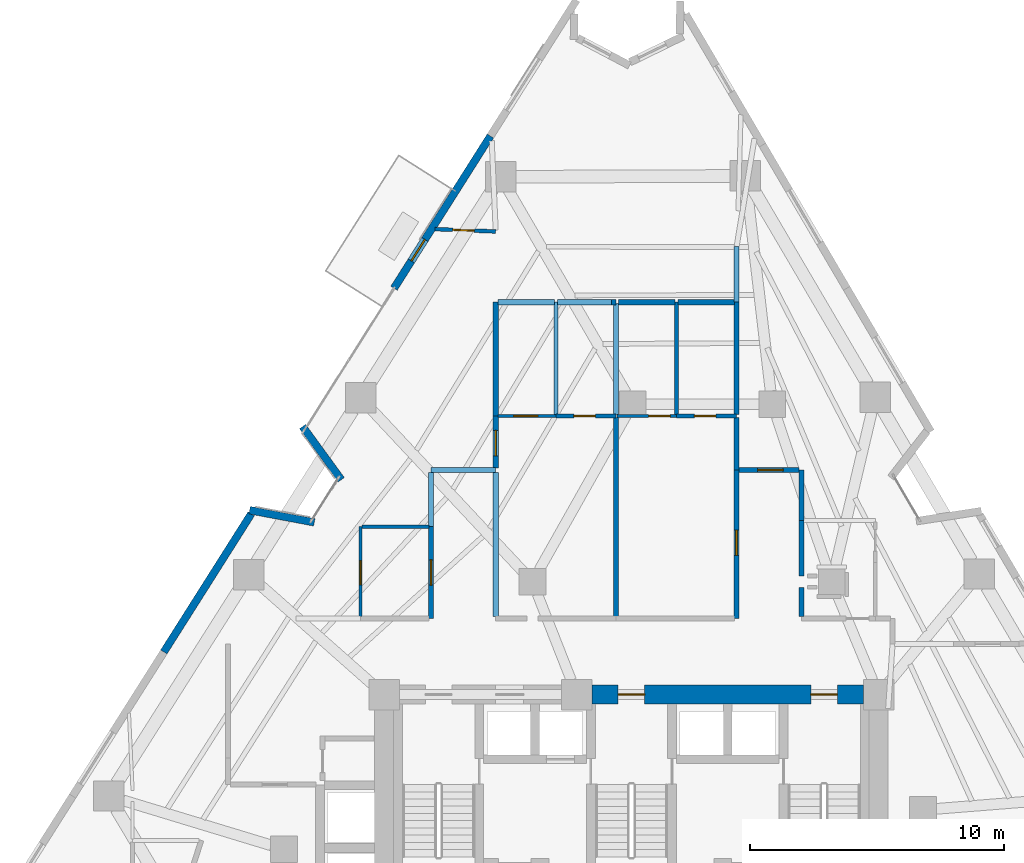
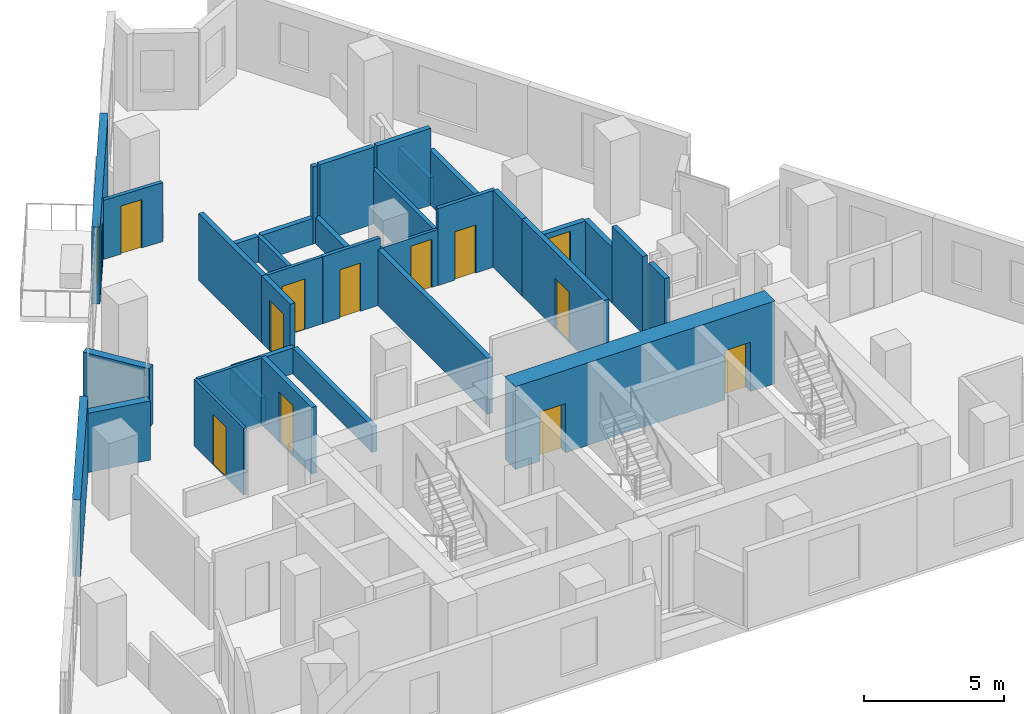
# One storey, part 7 of 11: 35 walls, 13 doors, 13 openings.
"""IFC4 building model written with IfcOpenShell, lengths in metres."""

import ifcopenshell
import ifcopenshell.guid

model = None  # the IFC model being written
_history = None  # IfcOwnerHistory: only IFC2X3 demands one
_inside = {}  # id of a spatial element -> (the spatial element, [elements in it])
_under = {}  # id of a project, library or spatial element -> (it, [spatial elements below it])
_declared = {}  # id of a project -> (the project, [libraries it declares])
_typed = {}  # id of a type object -> (the type object, [elements of that type])
_made_of = {}  # id of a material, layer set ... -> (it, [elements and type objects made of it])


def new_model(schema):
    """Start an empty IFC model of exactly this schema.

    Asked for "IFC4X3", IfcOpenShell would pick the latest addendum, in which some entities
    have other attributes; the version numbers below select the first issue.
    IFC2X3 requires an IfcOwnerHistory on every rooted entity: one is made here for all.
    """
    global model, _history
    if schema == "IFC4X3":
        model = ifcopenshell.file(schema_version=(4, 3, 0, 0))
    else:
        model = ifcopenshell.file(schema=schema)
    _inside.clear()
    _under.clear()
    _declared.clear()
    _typed.clear()
    _made_of.clear()
    _history = None
    if model.schema == "IFC2X3":
        org = make("IfcOrganization", Name="unknown")
        user = make(
            "IfcPersonAndOrganization",
            ThePerson=make("IfcPerson", FamilyName="unknown"),
            TheOrganization=org,
        )
        app = make(
            "IfcApplication",
            ApplicationDeveloper=org,
            Version="unknown",
            ApplicationFullName="unknown",
            ApplicationIdentifier="unknown",
        )
        _history = make(
            "IfcOwnerHistory",
            OwningUser=user,
            OwningApplication=app,
            ChangeAction="ADDED",
            CreationDate=0,
        )
    return model


def make(cls, **values):
    """One entity of the class cls with the attributes given. An attribute that is None is left unset."""
    return model.create_entity(
        cls, **{name: value for name, value in values.items() if value is not None}
    )


def rooted(cls, **values):
    """An entity with a GlobalId (a new one), such as an element, a storey or a relation."""
    return make(cls, GlobalId=ifcopenshell.guid.new(), OwnerHistory=_history, **values)


def si_unit(unit_type, name, prefix=None):
    """IfcSIUnit, for example si_unit("LENGTHUNIT", "METRE", prefix="MILLI")."""
    return make("IfcSIUnit", UnitType=unit_type, Prefix=prefix, Name=name)


def assignment(units):
    """IfcUnitAssignment: the units of a project."""
    return None if units is None else make("IfcUnitAssignment", Units=units)


def point(xyz):
    """IfcCartesianPoint."""
    return None if xyz is None else make("IfcCartesianPoint", Coordinates=xyz)


def direction(xyz):
    """IfcDirection."""
    return None if xyz is None else make("IfcDirection", DirectionRatios=xyz)


def frame(location, z_axis=None, x_axis=None):
    """IfcAxis2Placement3D, a coordinate frame: its origin and axes. An axis left out is left unset."""
    return make(
        "IfcAxis2Placement3D",
        Location=point(location),
        Axis=direction(z_axis),
        RefDirection=direction(x_axis),
    )


def frame_2d(location, x_axis=None):
    """IfcAxis2Placement2D, a coordinate frame in the plane: its origin and x axis."""
    return make(
        "IfcAxis2Placement2D", Location=point(location), RefDirection=direction(x_axis)
    )


def origin():
    """The frame at (0, 0, 0) with its axes left unset."""
    return frame((0.0, 0.0, 0.0))


def place(relative_to, where):
    """IfcLocalPlacement: puts the frame where relative to a parent placement (None: the world)."""
    return make(
        "IfcLocalPlacement", PlacementRelTo=relative_to, RelativePlacement=where
    )


def context(
    kind, dimensions, precision=None, world=None, true_north=None, identifier=None
):
    """IfcGeometricRepresentationContext, for example the 3D "Model" context."""
    return make(
        "IfcGeometricRepresentationContext",
        ContextIdentifier=identifier,
        ContextType=kind,
        CoordinateSpaceDimension=dimensions,
        Precision=precision,
        WorldCoordinateSystem=world,
        TrueNorth=true_north,
    )


def subcontext(parent, identifier, kind, view, scale=None):
    """IfcGeometricRepresentationSubContext, for example "Body" below "Model"."""
    return make(
        "IfcGeometricRepresentationSubContext",
        ContextIdentifier=identifier,
        ContextType=kind,
        ParentContext=parent,
        TargetScale=scale,
        TargetView=view,
    )


def project(units=None, contexts=None):
    """IfcProject with its units and contexts."""
    return rooted(
        "IfcProject",
        Name="project",
        RepresentationContexts=contexts,
        UnitsInContext=assignment(units),
    )


def spatial(cls, under=None, at=None, **own):
    """A site, building, storey or space (cls), placed at a placement, below another one or the project."""
    s = rooted(cls, ObjectPlacement=at, **own)
    if under is not None:
        _under.setdefault(under.id(), (under, []))[1].append(s)
    return s


def profile(cls, at=None, kind="AREA", **sizes):
    """A parametric profile (cls). Its sizes go by their IFC names, for example OverallWidth=200.0."""
    return make(cls, ProfileType=kind, Position=at, **sizes)


def rectangle(**sizes):
    """IfcRectangleProfileDef."""
    return profile("IfcRectangleProfileDef", **sizes)


def extrude(swept, where, along, depth):
    """IfcExtrudedAreaSolid: the profile swept, set in the frame where, extruded along a direction by depth."""
    return make(
        "IfcExtrudedAreaSolid",
        SweptArea=swept,
        Position=where,
        ExtrudedDirection=direction(along),
        Depth=depth,
    )


def shape(context_of_items, identifier, shape_type, items):
    """IfcShapeRepresentation: the items that make up one representation, for example the "Body"."""
    return make(
        "IfcShapeRepresentation",
        ContextOfItems=context_of_items,
        RepresentationIdentifier=identifier,
        RepresentationType=shape_type,
        Items=items,
    )


def material(Name=None, Category=None):
    """IfcMaterial."""
    return make("IfcMaterial", Name=Name, Category=Category)


def layer(
    of_material, thickness, ventilated=None, Name=None, Category=None, Priority=None
):
    """IfcMaterialLayer: one layer of a wall or slab, of a material (None: an air gap)."""
    return make(
        "IfcMaterialLayer",
        Material=of_material,
        LayerThickness=thickness,
        IsVentilated=ventilated,
        Name=Name,
        Category=Category,
        Priority=Priority,
    )


def layer_set(layers, Name=None):
    """IfcMaterialLayerSet."""
    return make("IfcMaterialLayerSet", MaterialLayers=layers, LayerSetName=Name)


def made_of(thing, what):
    """Note that an element or type object is made of a material, layer set ...; save() writes the relation."""
    if what is not None:
        _made_of.setdefault(what.id(), (what, []))[1].append(thing)
    return thing


def type_object(cls, material=None, **own):
    """A type object (cls), such as IfcWallType, which elements share."""
    return made_of(rooted(cls, **own), material)


def element(
    cls,
    number,
    at=None,
    inside=None,
    cuts=None,
    type_object=None,
    material=None,
    context=None,
    identifier="Body",
    shape_type=None,
    held_by="IfcProductDefinitionShape",
    body=None,
    shapes=None,
    **own,
):
    """One element of the class cls, such as IfcWall. Its Tag is "e" and its number.

    at: its placement. inside: the storey or other place that contains it. cuts: it is an
    opening in that element (IfcRelVoidsElement). A single representation is given by context,
    identifier, shape_type and body (its items); several are given by shapes. held_by: the class
    of the entity that holds the representations. save() writes the other relations.
    """
    e = rooted(cls, Tag="e%d" % number, ObjectPlacement=at, **own)
    if body is not None:
        shapes = [shape(context, identifier, shape_type, body)]
    if shapes is not None:
        e.Representation = make(held_by, Representations=shapes)
    if inside is not None:
        _inside.setdefault(inside.id(), (inside, []))[1].append(e)
    if cuts is not None:
        rooted(
            "IfcRelVoidsElement", RelatingBuildingElement=cuts, RelatedOpeningElement=e
        )
    if type_object is not None:
        _typed.setdefault(type_object.id(), (type_object, []))[1].append(e)
    return made_of(e, material)


def fill(opening, filler):
    """IfcRelFillsElement: the door or window that sits in an opening."""
    return rooted(
        "IfcRelFillsElement",
        RelatingOpeningElement=opening,
        RelatedBuildingElement=filler,
    )


def aggregate(whole, parts):
    """IfcRelAggregates: a whole, such as a stair, and the parts it consists of."""
    return rooted("IfcRelAggregates", RelatingObject=whole, RelatedObjects=parts)


def save(model, path):
    """Write the relations noted so far, then the file.

    IfcRelAggregates (storeys below a building ...), IfcRelContainedInSpatialStructure (elements
    in a storey), IfcRelDefinesByType, IfcRelAssociatesMaterial and IfcRelDeclares: one each for
    every whole, place, type object, material and project.
    """
    for whole, parts in _under.values():
        aggregate(whole, parts)
    for where, things in _inside.values():
        rooted(
            "IfcRelContainedInSpatialStructure",
            RelatedElements=things,
            RelatingStructure=where,
        )
    for kind, things in _typed.values():
        rooted("IfcRelDefinesByType", RelatedObjects=things, RelatingType=kind)
    for what, things in _made_of.values():
        rooted("IfcRelAssociatesMaterial", RelatedObjects=things, RelatingMaterial=what)
    for by, libraries in _declared.values():
        rooted("IfcRelDeclares", RelatingContext=by, RelatedDefinitions=libraries)
    model.write(path)


model = new_model("IFC4")

# Units and contexts
model_context = context("Model", 3, precision=1e-05, world=origin(), true_north=direction((0.0, 1.0)))
body_context = subcontext(model_context, "Body", "Model", "MODEL_VIEW")
ifc_project = project(units=[si_unit("LENGTHUNIT", "METRE"), si_unit("AREAUNIT", "SQUARE_METRE"), si_unit("VOLUMEUNIT", "CUBIC_METRE"), si_unit("PLANEANGLEUNIT", "RADIAN"), si_unit("MASSUNIT", "GRAM", prefix="KILO")], contexts=[model_context])

# Site, building, storey
site_placement = place(None, origin())
site = spatial("IfcSite", under=ifc_project, at=site_placement, CompositionType="ELEMENT")
building_placement = place(site_placement, origin())
building = spatial("IfcBuilding", under=site, at=building_placement, Name="Almagre Mirador Tower", CompositionType="ELEMENT")
storey_placement = place(building_placement, frame((0.0, 0.0, 128.39990234375)))
storey = spatial("IfcBuildingStorey", under=building, at=storey_placement, Name="L32", CompositionType="ELEMENT", Elevation=128.39990234375)

# Walls
ifc_material_1 = material(Name="Precast concrete C50/60", Category="concrete")
ifc_layer_1 = layer(ifc_material_1, 0.300048828125)
ifc_layer_set_1 = layer_set([ifc_layer_1], Name="Precast concrete C50/60")
wall_type_1 = type_object("IfcWallType", Name="WAL-EXT-300", PredefinedType="SOLIDWALL", material=ifc_layer_set_1)
for number, where, z_axis, x_axis, name in (
    (1, (22.246337890625, 22.02099609375, 0.0), (0.0, 0.0, 1.0), (0.982733402646, -0.185027185367, 0.0), "L32 expressed almagre precast frame wall 01"),
    (2, (25.8583984375, 23.2197265625, 0.0), (0.0, 0.0, 1.0), (-0.587763102288, 0.809033086832, 0.0), "L32 expressed almagre precast frame wall 02"),
):
    element("IfcWall", number, at=place(storey_placement, frame(where, z_axis=z_axis, x_axis=x_axis)), inside=storey, type_object=wall_type_1, Name=name, PredefinedType="SOLIDWALL", context=body_context, shape_type="SweptSolid", body=[
        extrude(rectangle(XDim=2.593994140625, YDim=0.300048828125, at=frame_2d((1.296875, 0.0))), origin(), (0.0, 0.0, 1.0), 2.5751953125),
    ])

# Wall, opening, door
wall_1_placement = place(storey_placement, frame((27.939453125, 30.7705078125, 0.0), z_axis=(0.0, 0.0, 1.0), x_axis=(0.534879578565, 0.84492830254, 0.0)))
wall_1 = element("IfcWall", 3, at=wall_1_placement, inside=storey, type_object=wall_type_1, Name="L32 expressed almagre precast frame wall 03", PredefinedType="SOLIDWALL", context=body_context, shape_type="SweptSolid", body=[
    extrude(rectangle(XDim=7.10498046875, YDim=0.300048828125, at=frame_2d((3.552490234375, 0.0))), origin(), (0.0, 0.0, 1.0), 3.35009765625),
])
opening_1_placement = place(wall_1_placement, frame((1.27734375, 0.0, 0.0)))
opening_1 = element("IfcOpeningElement", 4, at=opening_1_placement, cuts=wall_1, Name="Opening BD-01", PredefinedType="OPENING", context=body_context, shape_type="SweptSolid", body=[
    extrude(rectangle(XDim=1.0, YDim=2.199951171875, at=frame_2d((0.5, 1.10009765625))), frame((0.0, 0.159902, 0.0), z_axis=(0.0, -1.0, 0.0), x_axis=(1.0, 0.0, 0.0)), (0.0, 0.0, 1.0), 0.320049),
])
ifc_material_2 = material(Name="Black anodized aluminium and laminated glass", Category="aluminium")
door_type_1 = type_object("IfcDoorType", Name="DOR-BAL-1000X2200", OperationType="NOTDEFINED", PredefinedType="DOOR", material=ifc_material_2)
door_1_placement = place(opening_1_placement, origin())
door_1 = element("IfcDoor", 5, at=door_1_placement, inside=storey, type_object=door_type_1, Name="DR-1037 L32 west balcony glazed door 2", OperationType="SINGLE_SWING_LEFT", OverallHeight=2.199951171875, OverallWidth=1.0, PredefinedType="DOOR", context=body_context, shape_type="SweptSolid", body=[
    extrude(rectangle(XDim=1.0, YDim=2.199951171875, at=frame_2d((0.5, 1.10009765625))), frame((0.0, 0.02490234375, 0.0), z_axis=(0.0, -1.0, 0.0), x_axis=(1.0, 0.0, 0.0)), (0.0, 0.0, 1.0), 0.050048828125),
])
fill(opening_1, door_1)

# Wall
wall_2_placement = place(storey_placement, frame((18.860595703125, 16.429443359375, 0.0), z_axis=(0.0, 0.0, 1.0), x_axis=(0.534891708764, 0.844920623429, 0.0)))
element("IfcWall", 6, at=wall_2_placement, inside=storey, type_object=wall_type_1, Name="L32 expressed almagre precast frame wall 35", PredefinedType="SOLIDWALL", context=body_context, shape_type="SweptSolid", body=[
    extrude(rectangle(XDim=6.447021484375, YDim=0.300048828125, at=frame_2d((3.2236328125, 0.0))), origin(), (0.0, 0.0, 1.0), 3.35009765625),
])

# Wall, opening, door
ifc_material_3 = material(Name="Gypsum acoustic stud partition", Category="other")
ifc_layer_2 = layer(ifc_material_3, 0.125)
ifc_layer_set_2 = layer_set([ifc_layer_2], Name="Gypsum acoustic stud partition")
wall_type_2 = type_object("IfcWallType", Name="WAL-PRT-125-UTL", PredefinedType="PARTITIONING", material=ifc_layer_set_2)
wall_3_placement = place(storey_placement, frame((26.6201171875, 17.8349609375, 0.0), z_axis=(0.0, 0.0, 1.0), x_axis=(0.0, 1.0, 0.0)))
wall_3 = element("IfcWall", 7, at=wall_3_placement, inside=storey, type_object=wall_type_2, Name="L32 interior partition 050", PredefinedType="PARTITIONING", context=body_context, shape_type="SweptSolid", body=[
    extrude(rectangle(XDim=3.53515625, YDim=0.125, at=frame_2d((1.767578125, 0.0))), origin(), (0.0, 0.0, 1.0), 2.9111328125),
])
opening_2_placement = place(wall_3_placement, frame((1.25, 0.0, 0.0)))
opening_2 = element("IfcOpeningElement", 8, at=opening_2_placement, cuts=wall_3, Name="Opening UD-01", PredefinedType="OPENING", context=body_context, shape_type="SweptSolid", body=[
    extrude(rectangle(XDim=0.949951171875, YDim=2.199951171875, at=frame_2d((0.47509765625, 1.10009765625))), frame((0.0, 0.0725, 0.0), z_axis=(0.0, -1.0, 0.0), x_axis=(1.0, 0.0, 0.0)), (0.0, 0.0, 1.0), 0.145),
])
ifc_material_4 = material(Name="Solid American walnut timber", Category="wood")
door_type_2 = type_object("IfcDoorType", Name="DOR-UNR-950X2200", OperationType="NOTDEFINED", PredefinedType="DOOR", material=ifc_material_4)
door_2_placement = place(opening_2_placement, origin())
door_2 = element("IfcDoor", 9, at=door_2_placement, inside=storey, type_object=door_type_2, Name="DR-1045 L32 interior door L32-UF-ST to L32-UF-KT", OperationType="SINGLE_SWING_LEFT", OverallHeight=2.199951171875, OverallWidth=0.949951171875, PredefinedType="DOOR", context=body_context, shape_type="SweptSolid", body=[
    extrude(rectangle(XDim=0.949951171875, YDim=2.199951171875, at=frame_2d((0.47509765625, 1.10009765625))), frame((0.0, 0.02490234375, 0.0), z_axis=(0.0, -1.0, 0.0), x_axis=(1.0, 0.0, 0.0)), (0.0, 0.0, 1.0), 0.050048828125),
])
fill(opening_2, door_2)

# Wall
wall_4_placement = place(storey_placement, frame((26.66748046875, 21.3701171875, 0.0), z_axis=(0.0, 0.0, 1.0), x_axis=(1.0, 0.0, 0.0)))
element("IfcWall", 10, at=wall_4_placement, inside=storey, type_object=wall_type_2, Name="L32 interior partition 051", PredefinedType="PARTITIONING", context=body_context, shape_type="SweptSolid", body=[
    extrude(rectangle(XDim=2.6474609375, YDim=0.125, at=frame_2d((1.32373046875, 0.0))), origin(), (0.0, 0.0, 1.0), 2.9111328125),
])

# Wall, opening, door
wall_5_placement = place(storey_placement, frame((34.330078125, 25.72998046875, 0.0), z_axis=(0.0, 0.0, 1.0), x_axis=(-1.0, 0.0, 0.0)))
wall_5 = element("IfcWall", 11, at=wall_5_placement, inside=storey, type_object=wall_type_2, Name="L32 interior partition 057", PredefinedType="PARTITIONING", context=body_context, shape_type="SweptSolid", body=[
    extrude(rectangle(XDim=2.295166015625, YDim=0.125, at=frame_2d((1.1474609375, 0.0))), origin(), (0.0, 0.0, 1.0), 2.9111328125),
])
opening_3_placement = place(wall_5_placement, frame((0.715087890625, 0.0, 0.0)))
opening_3 = element("IfcOpeningElement", 12, at=opening_3_placement, cuts=wall_5, Name="Opening UD-01", PredefinedType="OPENING", context=body_context, shape_type="SweptSolid", body=[
    extrude(rectangle(XDim=0.949951171875, YDim=2.199951171875, at=frame_2d((0.47509765625, 1.10009765625))), frame((0.0, 0.0725, 0.0), z_axis=(0.0, -1.0, 0.0), x_axis=(1.0, 0.0, 0.0)), (0.0, 0.0, 1.0), 0.145),
])
door_3_placement = place(opening_3_placement, origin())
door_3 = element("IfcDoor", 13, at=door_3_placement, inside=storey, type_object=door_type_2, Name="DR-1047 L32 interior door L32-UG-ST to L32-UG-KT", OperationType="SINGLE_SWING_LEFT", OverallHeight=2.199951171875, OverallWidth=0.949951171875, PredefinedType="DOOR", context=body_context, shape_type="SweptSolid", body=[
    extrude(rectangle(XDim=0.949951171875, YDim=2.199951171875, at=frame_2d((0.47509765625, 1.10009765625))), frame((0.0, 0.02490234375, 0.0), z_axis=(0.0, -1.0, 0.0), x_axis=(1.0, 0.0, 0.0)), (0.0, 0.0, 1.0), 0.050048828125),
])
fill(opening_3, door_3)

wall_6_placement = place(storey_placement, frame((39.080078125, 25.72998046875, 0.0), z_axis=(0.0, 0.0, 1.0), x_axis=(-1.0, 0.0, 0.0)))
wall_6 = element("IfcWall", 14, at=wall_6_placement, inside=storey, type_object=wall_type_2, Name="L32 interior partition 065", PredefinedType="PARTITIONING", context=body_context, shape_type="SweptSolid", body=[
    extrude(rectangle(XDim=2.35498046875, YDim=0.125, at=frame_2d((1.177490234375, 0.0))), origin(), (0.0, 0.0, 1.0), 2.43603515625),
])
opening_4_placement = place(wall_6_placement, frame((0.253662109375, 0.0, 0.0)))
opening_4 = element("IfcOpeningElement", 15, at=opening_4_placement, cuts=wall_6, Name="Opening UD-04", PredefinedType="OPENING", context=body_context, shape_type="SweptSolid", body=[
    extrude(rectangle(XDim=0.85009765625, YDim=2.10009765625, at=frame_2d((0.425048828125, 1.050048828125))), frame((0.0, 0.0725, 0.0), z_axis=(0.0, -1.0, 0.0), x_axis=(1.0, 0.0, 0.0)), (0.0, 0.0, 1.0), 0.145),
])
ifc_material_5 = material(Name="Moisture-resistant oak timber", Category="wood")
door_type_3 = type_object("IfcDoorType", Name="DOR-UNR-850X2100", OperationType="NOTDEFINED", PredefinedType="DOOR", material=ifc_material_5)
door_4_placement = place(opening_4_placement, origin())
door_4 = element("IfcDoor", 16, at=door_4_placement, inside=storey, type_object=door_type_3, Name="DR-1050 L32 interior door L32-UH-ST to L32-UH-KT", OperationType="SINGLE_SWING_LEFT", OverallHeight=2.10009765625, OverallWidth=0.85009765625, PredefinedType="DOOR", context=body_context, shape_type="SweptSolid", body=[
    extrude(rectangle(XDim=0.85009765625, YDim=2.10009765625, at=frame_2d((0.425048828125, 1.050048828125))), frame((0.0, 0.02490234375, 0.0), z_axis=(0.0, -1.0, 0.0), x_axis=(1.0, 0.0, 0.0)), (0.0, 0.0, 1.0), 0.050048828125),
])
fill(opening_4, door_4)

ifc_material_6 = material(Name="Gypsum acoustic stud partition", Category="other")
ifc_layer_3 = layer(ifc_material_6, 0.14990234375)
ifc_layer_set_3 = layer_set([ifc_layer_3], Name="Gypsum acoustic stud partition")
wall_type_3 = type_object("IfcWallType", Name="WAL-PRT-150-STD", PredefinedType="PARTITIONING", material=ifc_layer_set_3)
wall_7_placement = place(storey_placement, frame((31.949951171875, 33.010009765625, 0.0), z_axis=(0.0, 0.0, 1.0), x_axis=(-0.999246660103, 0.038808662334, 0.0)))
wall_7 = element("IfcWall", 17, at=wall_7_placement, inside=storey, type_object=wall_type_3, Name="L32 interior partition 052", PredefinedType="PARTITIONING", context=body_context, shape_type="SweptSolid", body=[
    extrude(rectangle(XDim=2.396728515625, YDim=0.14990234375, at=frame_2d((1.1982421875, 0.0))), origin(), (0.0, 0.0, 1.0), 2.570068359375),
])
opening_5_placement = place(wall_7_placement, frame((0.84716796875, 0.0, 0.0)))
opening_5 = element("IfcOpeningElement", 18, at=opening_5_placement, cuts=wall_7, Name="Opening UD-04", PredefinedType="OPENING", context=body_context, shape_type="SweptSolid", body=[
    extrude(rectangle(XDim=0.85009765625, YDim=2.10009765625, at=frame_2d((0.425048828125, 1.050048828125))), frame((0.0, 0.084951, 0.0), z_axis=(0.0, -1.0, 0.0), x_axis=(1.0, 0.0, 0.0)), (0.0, 0.0, 1.0), 0.169902),
])
door_5_placement = place(opening_5_placement, origin())
door_5 = element("IfcDoor", 19, at=door_5_placement, inside=storey, type_object=door_type_3, Name="DR-1046 L32 interior door L32-UF-ST to L32-UF-BT", OperationType="SINGLE_SWING_RIGHT", OverallHeight=2.10009765625, OverallWidth=0.85009765625, PredefinedType="DOOR", context=body_context, shape_type="SweptSolid", body=[
    extrude(rectangle(XDim=0.85009765625, YDim=2.10009765625, at=frame_2d((0.425048828125, 1.050048828125))), frame((0.0, 0.02490234375, 0.0), z_axis=(0.0, -1.0, 0.0), x_axis=(1.0, 0.0, 0.0)), (0.0, 0.0, 1.0), 0.050048828125),
])
fill(opening_5, door_5)

wall_8_placement = place(storey_placement, frame((36.699951171875, 25.72998046875, 0.0), z_axis=(0.0, 0.0, 1.0), x_axis=(-1.0, 0.0, 0.0)))
wall_8 = element("IfcWall", 20, at=wall_8_placement, inside=storey, type_object=wall_type_3, Name="L32 interior partition 058", PredefinedType="PARTITIONING", context=body_context, shape_type="SweptSolid", body=[
    extrude(rectangle(XDim=2.369873046875, YDim=0.14990234375, at=frame_2d((1.18505859375, 0.0))), origin(), (0.0, 0.0, 1.0), 2.9111328125),
])
opening_6_placement = place(wall_8_placement, frame((0.81640625, 0.0, 0.0)))
opening_6 = element("IfcOpeningElement", 21, at=opening_6_placement, cuts=wall_8, Name="Opening UD-04", PredefinedType="OPENING", context=body_context, shape_type="SweptSolid", body=[
    extrude(rectangle(XDim=0.85009765625, YDim=2.10009765625, at=frame_2d((0.425048828125, 1.050048828125))), frame((0.0, 0.084951, 0.0), z_axis=(0.0, -1.0, 0.0), x_axis=(1.0, 0.0, 0.0)), (0.0, 0.0, 1.0), 0.169902),
])
door_6_placement = place(opening_6_placement, origin())
door_6 = element("IfcDoor", 22, at=door_6_placement, inside=storey, type_object=door_type_3, Name="DR-1048 L32 interior door L32-UG-ST to L32-UG-BT", OperationType="SINGLE_SWING_RIGHT", OverallHeight=2.10009765625, OverallWidth=0.85009765625, PredefinedType="DOOR", context=body_context, shape_type="SweptSolid", body=[
    extrude(rectangle(XDim=0.85009765625, YDim=2.10009765625, at=frame_2d((0.425048828125, 1.050048828125))), frame((0.0, 0.02490234375, 0.0), z_axis=(0.0, -1.0, 0.0), x_axis=(1.0, 0.0, 0.0)), (0.0, 0.0, 1.0), 0.050048828125),
])
fill(opening_6, door_6)

# Wall
wall_9_placement = place(storey_placement, frame((34.330078125, 25.777587890625, 0.0), z_axis=(0.0, 0.0, 1.0), x_axis=(0.0, 1.0, 0.0)))
element("IfcWall", 23, at=wall_9_placement, inside=storey, type_object=wall_type_3, Name="L32 interior partition 060", PredefinedType="PARTITIONING", context=body_context, shape_type="SweptSolid", body=[
    extrude(rectangle(XDim=4.4423828125, YDim=0.14990234375, at=frame_2d((2.22119140625, 0.0))), origin(), (0.0, 0.0, 1.0), 1.1201171875),
])

# Wall, opening, door
wall_10_placement = place(storey_placement, frame((41.449951171875, 25.72998046875, 0.0), z_axis=(0.0, 0.0, 1.0), x_axis=(-1.0, 0.0, 0.0)))
wall_10 = element("IfcWall", 24, at=wall_10_placement, inside=storey, type_object=wall_type_3, Name="L32 interior partition 066", PredefinedType="PARTITIONING", context=body_context, shape_type="SweptSolid", body=[
    extrude(rectangle(XDim=2.369873046875, YDim=0.14990234375, at=frame_2d((1.18505859375, 0.0))), origin(), (0.0, 0.0, 1.0), 3.35009765625),
])
opening_7_placement = place(wall_10_placement, frame((0.81640625, 0.0, 0.0)))
opening_7 = element("IfcOpeningElement", 25, at=opening_7_placement, cuts=wall_10, Name="Opening UD-04", PredefinedType="OPENING", context=body_context, shape_type="SweptSolid", body=[
    extrude(rectangle(XDim=0.85009765625, YDim=2.10009765625, at=frame_2d((0.425048828125, 1.050048828125))), frame((0.0, 0.084951, 0.0), z_axis=(0.0, -1.0, 0.0), x_axis=(1.0, 0.0, 0.0)), (0.0, 0.0, 1.0), 0.169902),
])
door_7_placement = place(opening_7_placement, origin())
door_7 = element("IfcDoor", 26, at=door_7_placement, inside=storey, type_object=door_type_3, Name="DR-1051 L32 interior door L32-UH-ST to L32-UH-BT", OperationType="SINGLE_SWING_RIGHT", OverallHeight=2.10009765625, OverallWidth=0.85009765625, PredefinedType="DOOR", context=body_context, shape_type="SweptSolid", body=[
    extrude(rectangle(XDim=0.85009765625, YDim=2.10009765625, at=frame_2d((0.425048828125, 1.050048828125))), frame((0.0, 0.02490234375, 0.0), z_axis=(0.0, -1.0, 0.0), x_axis=(1.0, 0.0, 0.0)), (0.0, 0.0, 1.0), 0.050048828125),
])
fill(opening_7, door_7)

# Walls
wall_11_placement = place(storey_placement, frame((39.080078125, 25.777587890625, 0.0), z_axis=(0.0, 0.0, 1.0), x_axis=(0.0, 1.0, 0.0)))
element("IfcWall", 27, at=wall_11_placement, inside=storey, type_object=wall_type_3, Name="L32 interior partition 068", PredefinedType="PARTITIONING", context=body_context, shape_type="SweptSolid", body=[
    extrude(rectangle(XDim=4.4423828125, YDim=0.14990234375, at=frame_2d((2.22119140625, 0.0))), origin(), (0.0, 0.0, 1.0), 2.3701171875),
])
ifc_material_7 = material(Name="Gypsum acoustic stud partition", Category="other")
ifc_layer_4 = layer(ifc_material_7, 0.199951171875)
ifc_layer_set_4 = layer_set([ifc_layer_4], Name="Gypsum acoustic stud partition")
wall_type_4 = type_object("IfcWallType", Name="WAL-PRT-200-EI60", PredefinedType="PARTITIONING", material=ifc_layer_set_4)
wall_12_placement = place(storey_placement, frame((31.949951171875, 23.60009765625, 0.0), z_axis=(0.0, 0.0, 1.0), x_axis=(-1.0, 0.0, 0.0)))
element("IfcWall", 28, at=wall_12_placement, inside=storey, type_object=wall_type_4, Name="L32 interior partition 006", PredefinedType="PARTITIONING", context=body_context, shape_type="SweptSolid", body=[
    extrude(rectangle(XDim=2.550048828125, YDim=0.199951171875, at=frame_2d((1.27490234375, 0.0))), origin(), (0.0, 0.0, 1.0), 1.1201171875),
])
wall_13_placement = place(storey_placement, frame((29.39990234375, 23.514892578125, 0.0), z_axis=(0.0, 0.0, 1.0), x_axis=(0.0, -1.0, 0.0)))
element("IfcWall", 29, at=wall_13_placement, inside=storey, type_object=wall_type_4, Name="L32 interior partition 007", PredefinedType="PARTITIONING", context=body_context, shape_type="SweptSolid", body=[
    extrude(rectangle(XDim=2.144775390625, YDim=0.199951171875, at=frame_2d((1.072265625, 0.0))), origin(), (0.0, 0.0, 1.0), 1.1201171875),
])

# Wall, opening, door
wall_14_placement = place(storey_placement, frame((29.39990234375, 21.3701171875, 0.0), z_axis=(0.0, 0.0, 1.0), x_axis=(0.0, -1.0, 0.0)))
wall_14 = element("IfcWall", 30, at=wall_14_placement, inside=storey, type_object=wall_type_4, Name="L32 interior partition 008", PredefinedType="PARTITIONING", context=body_context, shape_type="SweptSolid", body=[
    extrude(rectangle(XDim=3.6201171875, YDim=0.199951171875, at=frame_2d((1.81005859375, 0.0))), origin(), (0.0, 0.0, 1.0), 2.9111328125),
])
opening_8_placement = place(wall_14_placement, frame((1.31005859375, 0.0, 0.0)))
opening_8 = element("IfcOpeningElement", 31, at=opening_8_placement, cuts=wall_14, Name="Opening ID-01", PredefinedType="OPENING", context=body_context, shape_type="SweptSolid", body=[
    extrude(rectangle(XDim=1.0, YDim=2.199951171875, at=frame_2d((0.5, 1.10009765625))), frame((0.0, 0.110098, 0.0), z_axis=(0.0, -1.0, 0.0), x_axis=(1.0, 0.0, 0.0)), (0.0, 0.0, 1.0), 0.219951),
])
ifc_material_8 = material(Name="Fire-rated walnut timber", Category="wood")
door_type_4 = type_object("IfcDoorType", Name="DOR-FD60-1000X2200", OperationType="NOTDEFINED", PredefinedType="DOOR", material=ifc_material_8)
door_8_placement = place(opening_8_placement, origin())
door_8 = element("IfcDoor", 32, at=door_8_placement, inside=storey, type_object=door_type_4, Name="DR-1044 L32 interior door L32-RCOR to L32-UF-KT", OperationType="SINGLE_SWING_RIGHT", OverallHeight=2.199951171875, OverallWidth=1.0, PredefinedType="DOOR", context=body_context, shape_type="SweptSolid", body=[
    extrude(rectangle(XDim=1.0, YDim=2.199951171875, at=frame_2d((0.5, 1.10009765625))), frame((0.0, 0.02490234375, 0.0), z_axis=(0.0, -1.0, 0.0), x_axis=(1.0, 0.0, 0.0)), (0.0, 0.0, 1.0), 0.050048828125),
])
fill(opening_8, door_8)

# Wall
wall_15_placement = place(storey_placement, frame((31.949951171875, 17.8349609375, 0.0), z_axis=(0.0, 0.0, 1.0), x_axis=(0.0, 1.0, 0.0)))
element("IfcWall", 33, at=wall_15_placement, inside=storey, type_object=wall_type_4, Name="L32 interior partition 011", PredefinedType="PARTITIONING", context=body_context, shape_type="SweptSolid", body=[
    extrude(rectangle(XDim=5.679931640625, YDim=0.199951171875, at=frame_2d((2.83984375, 0.0))), origin(), (0.0, 0.0, 1.0), 1.1201171875),
])

# Wall, opening, door
wall_16_placement = place(storey_placement, frame((41.449951171875, 23.60009765625, 0.0), z_axis=(0.0, 0.0, 1.0), x_axis=(0.0, -1.0, 0.0)))
wall_16 = element("IfcWall", 34, at=wall_16_placement, inside=storey, type_object=wall_type_4, Name="L32 interior partition 013", PredefinedType="PARTITIONING", context=body_context, shape_type="SweptSolid", body=[
    extrude(rectangle(XDim=5.85009765625, YDim=0.199951171875, at=frame_2d((2.925048828125, 0.0))), origin(), (0.0, 0.0, 1.0), 3.35009765625),
])
opening_9_placement = place(wall_16_placement, frame((2.366455078125, 0.0, 0.0)))
opening_9 = element("IfcOpeningElement", 35, at=opening_9_placement, cuts=wall_16, Name="Opening ID-01", PredefinedType="OPENING", context=body_context, shape_type="SweptSolid", body=[
    extrude(rectangle(XDim=1.0, YDim=2.199951171875, at=frame_2d((0.5, 1.10009765625))), frame((0.0, 0.110098, 0.0), z_axis=(0.0, -1.0, 0.0), x_axis=(1.0, 0.0, 0.0)), (0.0, 0.0, 1.0), 0.219951),
])
door_9_placement = place(opening_9_placement, origin())
door_9 = element("IfcDoor", 36, at=door_9_placement, inside=storey, type_object=door_type_4, Name="DR-1049 L32 interior door L32-RCOR to L32-UH-ST", OperationType="SINGLE_SWING_LEFT", OverallHeight=2.199951171875, OverallWidth=1.0, PredefinedType="DOOR", context=body_context, shape_type="SweptSolid", body=[
    extrude(rectangle(XDim=1.0, YDim=2.199951171875, at=frame_2d((0.5, 1.10009765625))), frame((0.0, 0.02490234375, 0.0), z_axis=(0.0, -1.0, 0.0), x_axis=(1.0, 0.0, 0.0)), (0.0, 0.0, 1.0), 0.050048828125),
])
fill(opening_9, door_9)

# Wall
wall_17_placement = place(storey_placement, frame((44.0, 21.610107421875, 0.0), z_axis=(0.0, 0.0, 1.0), x_axis=(0.0, 1.0, 0.0)))
element("IfcWall", 37, at=wall_17_placement, inside=storey, type_object=wall_type_4, Name="L32 interior partition 015", PredefinedType="PARTITIONING", context=body_context, shape_type="SweptSolid", body=[
    extrude(rectangle(XDim=1.989990234375, YDim=0.199951171875, at=frame_2d((0.9951171875, 0.0))), origin(), (0.0, 0.0, 1.0), 2.43603515625),
])

# Wall, opening, door
wall_18_placement = place(storey_placement, frame((43.9150390625, 23.60009765625, 0.0), z_axis=(0.0, 0.0, 1.0), x_axis=(-1.0, 0.0, 0.0)))
wall_18 = element("IfcWall", 38, at=wall_18_placement, inside=storey, type_object=wall_type_4, Name="L32 interior partition 016", PredefinedType="PARTITIONING", context=body_context, shape_type="SweptSolid", body=[
    extrude(rectangle(XDim=2.380126953125, YDim=0.199951171875, at=frame_2d((1.18994140625, 0.0))), origin(), (0.0, 0.0, 1.0), 2.43603515625),
])
opening_10_placement = place(wall_18_placement, frame((0.63232421875, 0.0, 0.0)))
opening_10 = element("IfcOpeningElement", 39, at=opening_10_placement, cuts=wall_18, Name="Opening ID-01", PredefinedType="OPENING", context=body_context, shape_type="SweptSolid", body=[
    extrude(rectangle(XDim=1.0, YDim=2.199951171875, at=frame_2d((0.5, 1.10009765625))), frame((0.0, 0.110098, 0.0), z_axis=(0.0, -1.0, 0.0), x_axis=(1.0, 0.0, 0.0)), (0.0, 0.0, 1.0), 0.219951),
])
door_10_placement = place(opening_10_placement, origin())
door_10 = element("IfcDoor", 40, at=door_10_placement, inside=storey, type_object=door_type_4, Name="DR-1052 L32 interior door L32-RCOR to L32-UJ-ST", OperationType="SINGLE_SWING_LEFT", OverallHeight=2.199951171875, OverallWidth=1.0, PredefinedType="DOOR", context=body_context, shape_type="SweptSolid", body=[
    extrude(rectangle(XDim=1.0, YDim=2.199951171875, at=frame_2d((0.5, 1.10009765625))), frame((0.0, 0.02490234375, 0.0), z_axis=(0.0, -1.0, 0.0), x_axis=(1.0, 0.0, 0.0)), (0.0, 0.0, 1.0), 0.050048828125),
])
fill(opening_10, door_10)

# Walls
wall_19_placement = place(storey_placement, frame((44.0, 17.8349609375, 0.0), z_axis=(0.0, 0.0, 1.0), x_axis=(0.0, 1.0, 0.0)))
element("IfcWall", 41, at=wall_19_placement, inside=storey, type_object=wall_type_4, Name="L32 interior partition 020", PredefinedType="PARTITIONING", context=body_context, shape_type="SweptSolid", body=[
    extrude(rectangle(XDim=1.14501953125, YDim=0.199951171875, at=frame_2d((0.572509765625, 0.0))), origin(), (0.0, 0.0, 1.0), 3.35009765625),
])
wall_20_placement = place(storey_placement, frame((44.0, 19.419921875, 0.0), z_axis=(0.0, 0.0, 1.0), x_axis=(0.0, 1.0, 0.0)))
element("IfcWall", 42, at=wall_20_placement, inside=storey, type_object=wall_type_4, Name="L32 interior partition 021", PredefinedType="PARTITIONING", context=body_context, shape_type="SweptSolid", body=[
    extrude(rectangle(XDim=2.190185546875, YDim=0.199951171875, at=frame_2d((1.09521484375, 0.0))), origin(), (0.0, 0.0, 1.0), 3.35009765625),
])

# Wall, opening, door
wall_21_placement = place(storey_placement, frame((31.949951171875, 23.68505859375, 0.0), z_axis=(0.0, 0.0, 1.0), x_axis=(0.0, 1.0, 0.0)))
wall_21 = element("IfcWall", 43, at=wall_21_placement, inside=storey, type_object=wall_type_4, Name="L32 interior partition 053", PredefinedType="PARTITIONING", context=body_context, shape_type="SweptSolid", body=[
    extrude(rectangle(XDim=2.044921875, YDim=0.199951171875, at=frame_2d((1.0224609375, 0.0))), origin(), (0.0, 0.0, 1.0), 2.9111328125),
])
opening_11_placement = place(wall_21_placement, frame((0.47998046875, 0.0, 0.0)))
opening_11 = element("IfcOpeningElement", 44, at=opening_11_placement, cuts=wall_21, Name="Opening ID-01", PredefinedType="OPENING", context=body_context, shape_type="SweptSolid", body=[
    extrude(rectangle(XDim=1.0, YDim=2.199951171875, at=frame_2d((0.5, 1.10009765625))), frame((0.0, 0.110098, 0.0), z_axis=(0.0, -1.0, 0.0), x_axis=(1.0, 0.0, 0.0)), (0.0, 0.0, 1.0), 0.219951),
])
door_11_placement = place(opening_11_placement, origin())
door_11 = element("IfcDoor", 45, at=door_11_placement, inside=storey, type_object=door_type_4, Name="DR-1055 L32 interior door L32-UF-ST to L32-UG-ST", OperationType="SINGLE_SWING_RIGHT", OverallHeight=2.199951171875, OverallWidth=1.0, PredefinedType="DOOR", context=body_context, shape_type="SweptSolid", body=[
    extrude(rectangle(XDim=1.0, YDim=2.199951171875, at=frame_2d((0.5, 1.10009765625))), frame((0.0, 0.02490234375, 0.0), z_axis=(0.0, -1.0, 0.0), x_axis=(1.0, 0.0, 0.0)), (0.0, 0.0, 1.0), 0.050048828125),
])
fill(opening_11, door_11)

# Walls
wall_22_placement = place(storey_placement, frame((31.949951171875, 25.72998046875, 0.0), z_axis=(0.0, 0.0, 1.0), x_axis=(0.0, 1.0, 0.0)))
element("IfcWall", 46, at=wall_22_placement, inside=storey, type_object=wall_type_4, Name="L32 interior partition 054", PredefinedType="PARTITIONING", context=body_context, shape_type="SweptSolid", body=[
    extrude(rectangle(XDim=4.489990234375, YDim=0.199951171875, at=frame_2d((2.2451171875, 0.0))), origin(), (0.0, 0.0, 1.0), 2.9111328125),
])
wall_23_placement = place(storey_placement, frame((36.699951171875, 17.8349609375, 0.0), z_axis=(0.0, 0.0, 1.0), x_axis=(0.0, 1.0, 0.0)))
element("IfcWall", 47, at=wall_23_placement, inside=storey, type_object=wall_type_4, Name="L32 interior partition 059", PredefinedType="PARTITIONING", context=body_context, shape_type="SweptSolid", body=[
    extrude(rectangle(XDim=7.8349609375, YDim=0.199951171875, at=frame_2d((3.91748046875, 0.0))), origin(), (0.0, 0.0, 1.0), 2.43603515625),
])
wall_24_placement = place(storey_placement, frame((34.27001953125, 30.219970703125, 0.0), z_axis=(0.0, 0.0, 1.0), x_axis=(-1.0, 0.0, 0.0)))
element("IfcWall", 48, at=wall_24_placement, inside=storey, type_object=wall_type_4, Name="L32 interior partition 061", PredefinedType="PARTITIONING", context=body_context, shape_type="SweptSolid", body=[
    extrude(rectangle(XDim=2.235107421875, YDim=0.199951171875, at=frame_2d((1.11767578125, 0.0))), origin(), (0.0, 0.0, 1.0), 1.1201171875),
])
wall_25_placement = place(storey_placement, frame((36.699951171875, 25.7900390625, 0.0), z_axis=(0.0, 0.0, 1.0), x_axis=(0.0, 1.0, 0.0)))
element("IfcWall", 49, at=wall_25_placement, inside=storey, type_object=wall_type_4, Name="L32 interior partition 062", PredefinedType="PARTITIONING", context=body_context, shape_type="SweptSolid", body=[
    extrude(rectangle(XDim=4.385009765625, YDim=0.199951171875, at=frame_2d((2.1923828125, 0.0))), origin(), (0.0, 0.0, 1.0), 1.1201171875),
])
wall_26_placement = place(storey_placement, frame((36.510009765625, 30.219970703125, 0.0), z_axis=(0.0, 0.0, 1.0), x_axis=(-1.0, 0.0, 0.0)))
element("IfcWall", 50, at=wall_26_placement, inside=storey, type_object=wall_type_4, Name="L32 interior partition 063", PredefinedType="PARTITIONING", context=body_context, shape_type="SweptSolid", body=[
    extrude(rectangle(XDim=2.1201171875, YDim=0.199951171875, at=frame_2d((1.06005859375, 0.0))), origin(), (0.0, 0.0, 1.0), 1.1201171875),
])
wall_27_placement = place(storey_placement, frame((36.699951171875, 30.219970703125, 0.0), z_axis=(0.0, 0.0, 1.0), x_axis=(-1.0, 0.0, 0.0)))
element("IfcWall", 51, at=wall_27_placement, inside=storey, type_object=wall_type_4, Name="L32 interior partition 064", PredefinedType="PARTITIONING", context=body_context, shape_type="SweptSolid", body=[
    extrude(rectangle(XDim=0.18994140625, YDim=0.199951171875, at=frame_2d((0.094970703125, 0.0))), origin(), (0.0, 0.0, 1.0), 3.35009765625),
])
wall_28_placement = place(storey_placement, frame((41.449951171875, 23.60009765625, 0.0), z_axis=(0.0, 0.0, 1.0), x_axis=(0.0, 1.0, 0.0)))
element("IfcWall", 52, at=wall_28_placement, inside=storey, type_object=wall_type_4, Name="L32 interior partition 067", PredefinedType="PARTITIONING", context=body_context, shape_type="SweptSolid", body=[
    extrude(rectangle(XDim=2.06982421875, YDim=0.199951171875, at=frame_2d((1.034912109375, 0.0))), origin(), (0.0, 0.0, 1.0), 3.35009765625),
])
wall_29_placement = place(storey_placement, frame((39.02001953125, 30.219970703125, 0.0), z_axis=(0.0, 0.0, 1.0), x_axis=(-1.0, 0.0, 0.0)))
element("IfcWall", 53, at=wall_29_placement, inside=storey, type_object=wall_type_4, Name="L32 interior partition 069", PredefinedType="PARTITIONING", context=body_context, shape_type="SweptSolid", body=[
    extrude(rectangle(XDim=2.235107421875, YDim=0.199951171875, at=frame_2d((1.11767578125, 0.0))), origin(), (0.0, 0.0, 1.0), 3.35009765625),
])
wall_30_placement = place(storey_placement, frame((41.449951171875, 25.7900390625, 0.0), z_axis=(0.0, 0.0, 1.0), x_axis=(0.0, 1.0, 0.0)))
element("IfcWall", 54, at=wall_30_placement, inside=storey, type_object=wall_type_4, Name="L32 interior partition 070", PredefinedType="PARTITIONING", context=body_context, shape_type="SweptSolid", body=[
    extrude(rectangle(XDim=4.429931640625, YDim=0.199951171875, at=frame_2d((2.21484375, 0.0))), origin(), (0.0, 0.0, 1.0), 2.3701171875),
])
wall_31_placement = place(storey_placement, frame((41.364990234375, 30.219970703125, 0.0), z_axis=(0.0, 0.0, 1.0), x_axis=(-1.0, 0.0, 0.0)))
element("IfcWall", 55, at=wall_31_placement, inside=storey, type_object=wall_type_4, Name="L32 interior partition 071", PredefinedType="PARTITIONING", context=body_context, shape_type="SweptSolid", body=[
    extrude(rectangle(XDim=2.22509765625, YDim=0.199951171875, at=frame_2d((1.112548828125, 0.0))), origin(), (0.0, 0.0, 1.0), 3.35009765625),
])
wall_32_placement = place(storey_placement, frame((41.449951171875, 32.419921875, 0.0), z_axis=(0.0, 0.0, 1.0), x_axis=(0.0, -1.0, 0.0)))
element("IfcWall", 56, at=wall_32_placement, inside=storey, type_object=wall_type_4, Name="L32 interior partition 076", PredefinedType="PARTITIONING", context=body_context, shape_type="SweptSolid", body=[
    extrude(rectangle(XDim=2.199951171875, YDim=0.199951171875, at=frame_2d((1.10009765625, 0.0))), origin(), (0.0, 0.0, 1.0), 1.1201171875),
])

# Wall, openings, doors
ifc_material_9 = material(Name="Concrete C60/75", Category="concrete")
ifc_layer_5 = layer(ifc_material_9, 0.75)
ifc_layer_set_5 = layer_set([ifc_layer_5], Name="Concrete C60/75")
wall_type_5 = type_object("IfcWallType", Name="WAL-SHR-750", PredefinedType="SHEAR", material=ifc_layer_set_5)
wall_33_placement = place(storey_placement, frame((35.75, 14.75, 0.0), z_axis=(0.0, 0.0, 1.0), x_axis=(1.0, 0.0, 0.0)))
wall_33 = element("IfcWall", 57, at=wall_33_placement, inside=storey, type_object=wall_type_5, Name="L32 core shear wall N2", PredefinedType="SHEAR", context=body_context, shape_type="SweptSolid", body=[
    extrude(rectangle(XDim=10.699951171875, YDim=0.75, at=frame_2d((5.35009765625, 0.0))), origin(), (0.0, 0.0, 1.0), 3.60009765625),
])
opening_12_placement = place(wall_33_placement, frame((1.02490234375, 0.0, 0.0)))
opening_12 = element("IfcOpeningElement", 58, at=opening_12_placement, cuts=wall_33, Name="Opening SD-01", PredefinedType="OPENING", context=body_context, shape_type="SweptSolid", body=[
    extrude(rectangle(XDim=1.050048828125, YDim=2.14990234375, at=frame_2d((0.52490234375, 1.074951171875))), frame((0.0, 0.385, 0.0), z_axis=(0.0, -1.0, 0.0), x_axis=(1.0, 0.0, 0.0)), (0.0, 0.0, 1.0), 0.77),
])
opening_13_placement = place(wall_33_placement, frame((8.625, 0.0, 0.0)))
opening_13 = element("IfcOpeningElement", 59, at=opening_13_placement, cuts=wall_33, Name="Opening SD-01", PredefinedType="OPENING", context=body_context, shape_type="SweptSolid", body=[
    extrude(rectangle(XDim=1.050048828125, YDim=2.14990234375, at=frame_2d((0.52490234375, 1.074951171875))), frame((0.0, 0.385, 0.0), z_axis=(0.0, -1.0, 0.0), x_axis=(1.0, 0.0, 0.0)), (0.0, 0.0, 1.0), 0.77),
])
ifc_material_10 = material(Name="Fire-rated hollow steel", Category="steel")
door_type_5 = type_object("IfcDoorType", Name="DOR-ST-1050X2150", OperationType="NOTDEFINED", PredefinedType="DOOR", material=ifc_material_10)
door_12_placement = place(opening_12_placement, origin())
door_12 = element("IfcDoor", 60, at=door_12_placement, inside=storey, type_object=door_type_5, Name="DR-1063 L32 protected exit stair ST-2 door", OperationType="SINGLE_SWING_RIGHT", OverallHeight=2.14990234375, OverallWidth=1.050048828125, PredefinedType="DOOR", context=body_context, shape_type="SweptSolid", body=[
    extrude(rectangle(XDim=1.050048828125, YDim=2.14990234375, at=frame_2d((0.52490234375, 1.074951171875))), frame((0.0, 0.02490234375, 0.0), z_axis=(0.0, -1.0, 0.0), x_axis=(1.0, 0.0, 0.0)), (0.0, 0.0, 1.0), 0.050048828125),
])
fill(opening_12, door_12)
door_13_placement = place(opening_13_placement, origin())
door_13 = element("IfcDoor", 61, at=door_13_placement, inside=storey, type_object=door_type_5, Name="DR-1064 L32 protected exit stair ST-3 door", OperationType="SINGLE_SWING_LEFT", OverallHeight=2.14990234375, OverallWidth=1.050048828125, PredefinedType="DOOR", context=body_context, shape_type="SweptSolid", body=[
    extrude(rectangle(XDim=1.050048828125, YDim=2.14990234375, at=frame_2d((0.52490234375, 1.074951171875))), frame((0.0, 0.02490234375, 0.0), z_axis=(0.0, -1.0, 0.0), x_axis=(1.0, 0.0, 0.0)), (0.0, 0.0, 1.0), 0.050048828125),
])
fill(opening_13, door_13)

save(model, "model.ifc")
